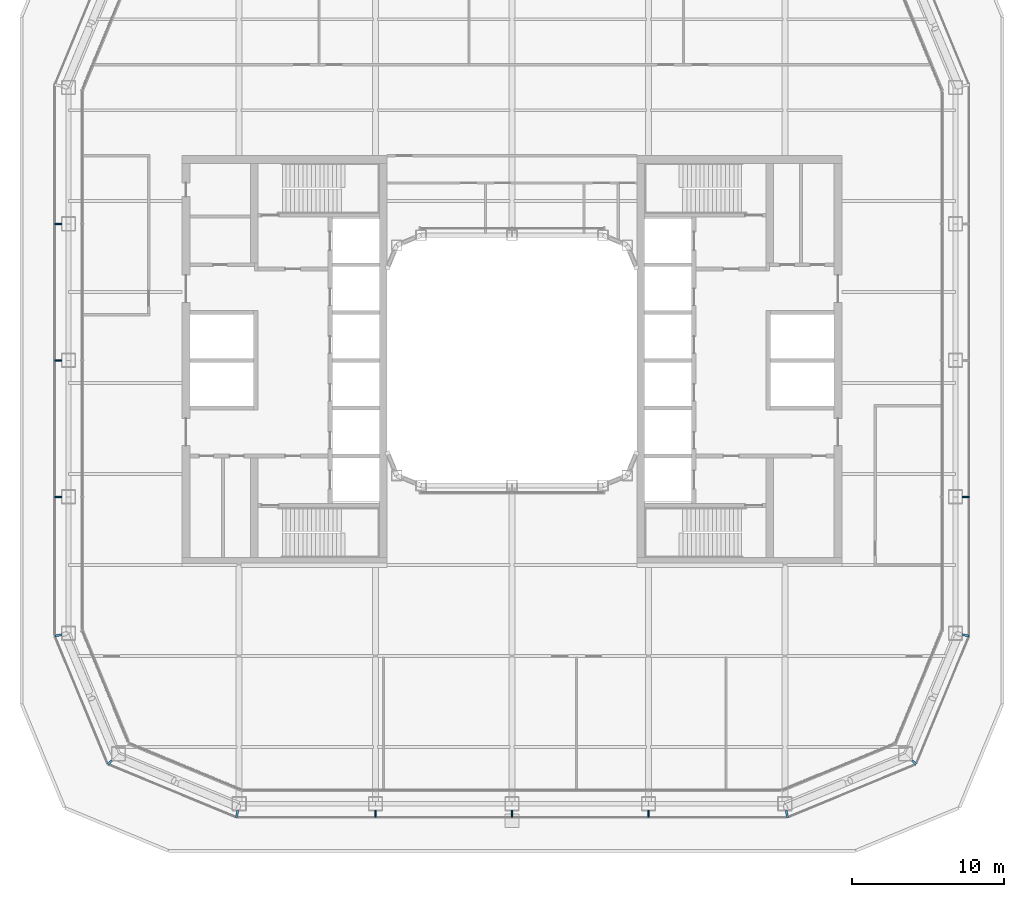
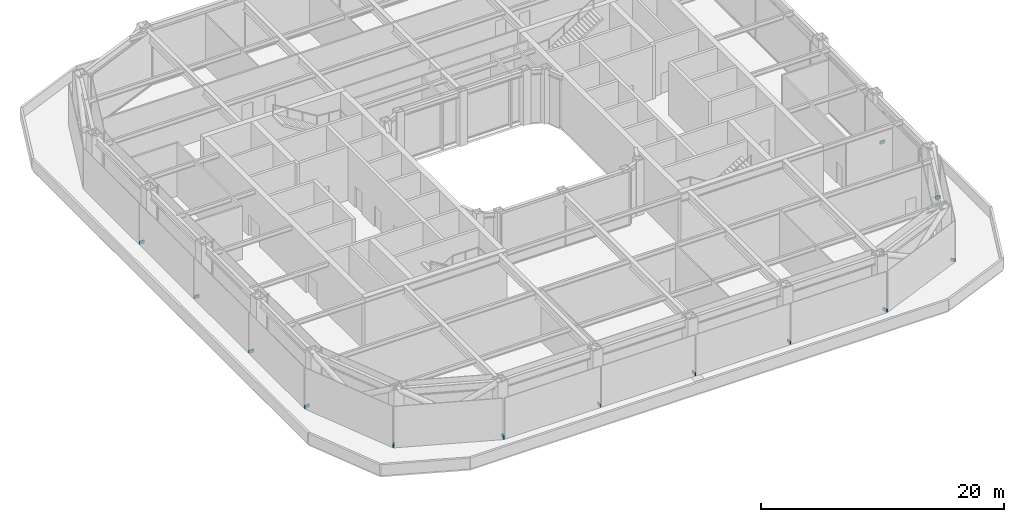
# One storey, part 15 of 21: 13 discrete accessories.
"""IFC4 building model written with IfcOpenShell, lengths in metres."""

from ifc_helpers import new_model, si_unit, direction, frame, origin, origin_2d, place, context, subcontext, project, spatial, rectangle, extrude, material, type_object, element, save


model = new_model("IFC4")

# Units and contexts
model_context = context("Model", 3, precision=1e-05, world=origin(), true_north=direction((0.0, 1.0)))
body_context = subcontext(model_context, "Body", "Model", "MODEL_VIEW")
ifc_project = project(units=[si_unit("LENGTHUNIT", "METRE"), si_unit("AREAUNIT", "SQUARE_METRE"), si_unit("VOLUMEUNIT", "CUBIC_METRE"), si_unit("PLANEANGLEUNIT", "RADIAN"), si_unit("MASSUNIT", "GRAM", prefix="KILO")], contexts=[model_context])

# Site, building, storey
site_placement = place(None, origin())
site = spatial("IfcSite", under=ifc_project, at=site_placement, CompositionType="ELEMENT")
building_placement = place(site_placement, origin())
building = spatial("IfcBuilding", under=site, at=building_placement, Name="Siwar Civic Tower", CompositionType="ELEMENT")
storey_placement = place(building_placement, frame((0.0, 0.0, 99.199951171875)))
storey = spatial("IfcBuildingStorey", under=building, at=storey_placement, Name="L21", CompositionType="ELEMENT", Elevation=99.199951171875)

# Discrete accessories
ifc_material = material(Name="Stainless steel 316", Category="steel")
discrete_accessory_type = type_object("IfcDiscreteAccessoryType", Name="ENV-BRACKET", PredefinedType="BRACKET", material=ifc_material)
for number, where, z_axis, x_axis, name in (
    (1, (29.9150390625, -9.0, 0.0), (0.0, 0.0, 1.0), (1.0, 0.0, 0.0), "Bracket outer skin joint E-01"),
    (2, (-9.0, -29.9150390625, 0.0), (0.0, 0.0, 1.0), (0.0, -1.0, 0.0), "Bracket outer skin joint S-01"),
    (3, (0.0, -29.9150390625, 0.0), (0.0, 0.0, 1.0), (0.0, -1.0, 0.0), "Bracket outer skin joint S-02"),
    (4, (9.0, -29.9150390625, 0.0), (0.0, 0.0, 1.0), (0.0, -1.0, 0.0), "Bracket outer skin joint S-03"),
):
    element("IfcDiscreteAccessory", number, at=place(storey_placement, frame(where, z_axis=z_axis, x_axis=x_axis)), inside=storey, type_object=discrete_accessory_type, Name=name, PredefinedType="BRACKET", context=body_context, shape_type="SweptSolid", body=[
        extrude(rectangle(XDim=0.469970703125, YDim=0.10009765625, at=origin_2d()), origin(), (0.0, 0.0, 1.0), 0.300048828125),
    ])
for number, where, z_axis, x_axis, name in (
    (5, (-18.13232421875, -29.915283203125, 0.0), (0.0, 0.0, 1.0), (-0.195090322016, -0.980785280403, 0.0), "Bracket outer skin joint V00"),
    (6, (18.13232421875, -29.915283203125, 0.0), (0.0, 0.0, 1.0), (0.195090322016, -0.980785280403, 0.0), "Bracket outer skin joint V01"),
):
    element("IfcDiscreteAccessory", number, at=place(storey_placement, frame(where, z_axis=z_axis, x_axis=x_axis)), inside=storey, type_object=discrete_accessory_type, Name=name, PredefinedType="BRACKET", context=body_context, shape_type="SweptSolid", body=[
        extrude(rectangle(XDim=0.478759765625, YDim=0.13720703125, at=origin_2d()), origin(), (0.0, 0.0, 1.0), 0.300048828125),
    ])
discrete_accessory_1_placement = place(storey_placement, frame((26.517333984375, -26.517333984375, 0.0), z_axis=(0.0, 0.0, 1.0), x_axis=(0.707106781187, -0.707106781187, 0.0)))
element("IfcDiscreteAccessory", 7, at=discrete_accessory_1_placement, inside=storey, type_object=discrete_accessory_type, Name="Bracket outer skin joint V02", PredefinedType="BRACKET", context=body_context, shape_type="SweptSolid", body=[
    extrude(rectangle(XDim=0.357666015625, YDim=0.12939453125, at=origin_2d()), origin(), (0.0, 0.0, 1.0), 0.300048828125),
])
for number, where, z_axis, x_axis, name in (
    (8, (29.915283203125, -18.13232421875, 0.0), (0.0, 0.0, 1.0), (0.980785280403, -0.195090322016, 0.0), "Bracket outer skin joint V03"),
    (9, (-29.915283203125, -18.13232421875, 0.0), (0.0, 0.0, 1.0), (-0.980785280403, -0.195090322016, 0.0), "Bracket outer skin joint V10"),
):
    element("IfcDiscreteAccessory", number, at=place(storey_placement, frame(where, z_axis=z_axis, x_axis=x_axis)), inside=storey, type_object=discrete_accessory_type, Name=name, PredefinedType="BRACKET", context=body_context, shape_type="SweptSolid", body=[
        extrude(rectangle(XDim=0.478759765625, YDim=0.13720703125, at=origin_2d()), origin(), (0.0, 0.0, 1.0), 0.300048828125),
    ])
discrete_accessory_2_placement = place(storey_placement, frame((-26.517333984375, -26.517333984375, 0.0), z_axis=(0.0, 0.0, 1.0), x_axis=(-0.707106781187, -0.707106781187, 0.0)))
element("IfcDiscreteAccessory", 10, at=discrete_accessory_2_placement, inside=storey, type_object=discrete_accessory_type, Name="Bracket outer skin joint V11", PredefinedType="BRACKET", context=body_context, shape_type="SweptSolid", body=[
    extrude(rectangle(XDim=0.357666015625, YDim=0.12939453125, at=origin_2d()), origin(), (0.0, 0.0, 1.0), 0.300048828125),
])
for number, where, z_axis, x_axis, name in (
    (11, (-29.9150390625, 9.0, 0.0), (0.0, 0.0, 1.0), (-1.0, 0.0, 0.0), "Bracket outer skin joint W-01"),
    (12, (-29.9150390625, 0.0, 0.0), (0.0, 0.0, 1.0), (-1.0, 0.0, 0.0), "Bracket outer skin joint W-02"),
    (13, (-29.9150390625, -9.0, 0.0), (0.0, 0.0, 1.0), (-1.0, 0.0, 0.0), "Bracket outer skin joint W-03"),
):
    element("IfcDiscreteAccessory", number, at=place(storey_placement, frame(where, z_axis=z_axis, x_axis=x_axis)), inside=storey, type_object=discrete_accessory_type, Name=name, PredefinedType="BRACKET", context=body_context, shape_type="SweptSolid", body=[
        extrude(rectangle(XDim=0.469970703125, YDim=0.10009765625, at=origin_2d()), origin(), (0.0, 0.0, 1.0), 0.300048828125),
    ])

save(model, "model.ifc")
